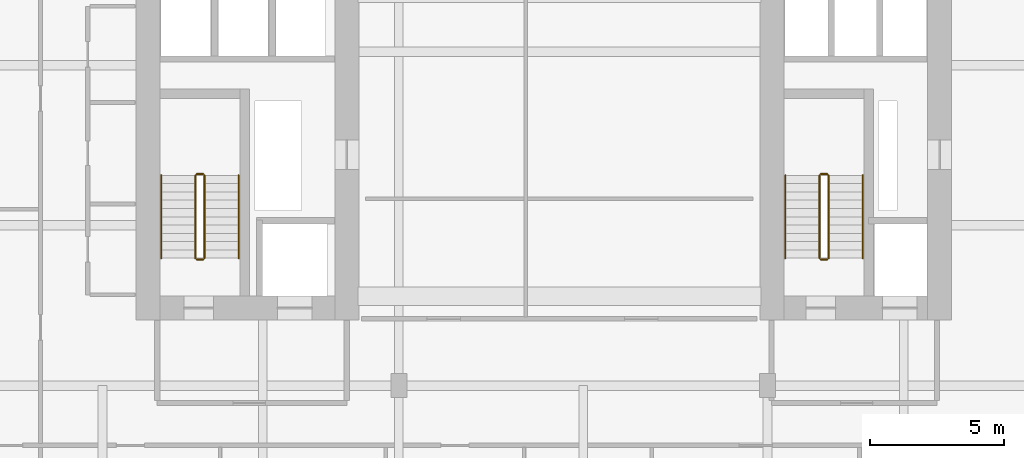
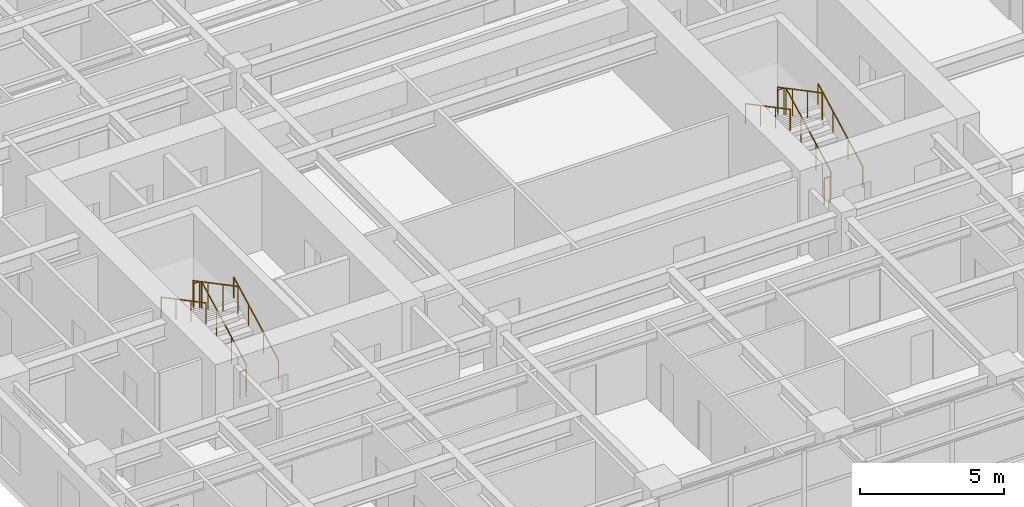
# One storey, part 24 of 24: 12 railings.
"""IFC4 building model written with IfcOpenShell, lengths in metres."""

from ifc_helpers import new_model, si_unit, direction, frame, origin, origin_2d, place, context, subcontext, project, spatial, circle, extrude, material, type_object, element, save


model = new_model("IFC4")

# Units and contexts
model_context = context("Model", 3, precision=1e-05, world=origin(), true_north=direction((0.0, 1.0)))
body_context = subcontext(model_context, "Body", "Model", "MODEL_VIEW")
ifc_project = project(units=[si_unit("LENGTHUNIT", "METRE"), si_unit("AREAUNIT", "SQUARE_METRE"), si_unit("VOLUMEUNIT", "CUBIC_METRE"), si_unit("PLANEANGLEUNIT", "RADIAN"), si_unit("MASSUNIT", "GRAM", prefix="KILO")], contexts=[model_context])

# Site, building, storey
site_placement = place(None, origin())
site = spatial("IfcSite", under=ifc_project, at=site_placement, CompositionType="ELEMENT")
building_placement = place(site_placement, origin())
building = spatial("IfcBuilding", under=site, at=building_placement, Name="Khoralis Quay Care Tower", CompositionType="ELEMENT")
storey_placement = place(building_placement, frame((0.0, 0.0, 54.89990234375)))
storey = spatial("IfcBuildingStorey", under=building, at=storey_placement, Name="L14", CompositionType="ELEMENT", Elevation=54.89990234375)

# Railings
ifc_material = material(Name="Brushed stainless steel", Category="steel")
railing_type_1 = type_object("IfcRailingType", Name="RL-GUARD-1150", PredefinedType="GUARDRAIL", material=ifc_material)
railing_1_placement = place(storey_placement, frame((9.820068359375, 16.77001953125, 0.163818359375)))
element("IfcRailing", 1, at=railing_1_placement, inside=storey, type_object=railing_type_1, Name="L14 ST-T1 stair guard 1", PredefinedType="GUARDRAIL", context=body_context, shape_type="SweptSolid", body=[
    extrude(circle(Radius=0.02392578125, at=origin_2d()), frame((0.0, 0.0, 1.1259765625), z_axis=(0.0, 0.884376766648, 0.46677375099), x_axis=(-1.0, 0.0, 0.0)), (0.0, 0.0, 1.0), 3.50537109375),
    extrude(circle(Radius=0.02099609375, at=origin_2d()), origin(), (0.0, 0.0, 1.0), 1.101806640625),
    extrude(circle(Radius=0.02099609375, at=origin_2d()), frame((0.0, 1.033447265625, 0.54541015625)), (0.0, 0.0, 1.0), 1.101806640625),
    extrude(circle(Radius=0.02099609375, at=origin_2d()), frame((0.0, 2.066650390625, 1.0908203125)), (0.0, 0.0, 1.0), 1.101806640625),
    extrude(circle(Radius=0.02099609375, at=origin_2d()), frame((0.0, 3.10009765625, 1.63623046875)), (0.0, 0.0, 1.0), 1.101806640625),
])
railing_2_placement = place(storey_placement, frame((9.77001953125, 19.919921875, 1.800048828125)))
element("IfcRailing", 2, at=railing_2_placement, inside=storey, type_object=railing_type_1, Name="L14 ST-T1 stair guard 2", PredefinedType="GUARDRAIL", context=body_context, shape_type="SweptSolid", body=[
    extrude(circle(Radius=0.02392578125, at=origin_2d()), frame((0.0, 0.0, 1.1259765625), z_axis=(-1.0, 0.0, 0.0), x_axis=(0.0, -1.0, 0.0)), (0.0, 0.0, 1.0), 0.239990234375),
    extrude(circle(Radius=0.02099609375, at=origin_2d()), origin(), (0.0, 0.0, 1.0), 1.101806640625),
    extrude(circle(Radius=0.02099609375, at=origin_2d()), frame((-0.239990234375, 0.0, 0.0)), (0.0, 0.0, 1.0), 1.101806640625),
])
railing_3_placement = place(storey_placement, frame((9.47998046875, 19.8701171875, 1.963623046875)))
element("IfcRailing", 3, at=railing_3_placement, inside=storey, type_object=railing_type_1, Name="L14 ST-T1 stair guard 3", PredefinedType="GUARDRAIL", context=body_context, shape_type="SweptSolid", body=[
    extrude(circle(Radius=0.02392578125, at=origin_2d()), frame((0.0, 0.0, 1.1259765625), z_axis=(0.0, -0.884348015382, 0.466828220752), x_axis=(1.0, 0.0, 0.0)), (0.0, 0.0, 1.0), 3.505615234375),
    extrude(circle(Radius=0.02099609375, at=origin_2d()), origin(), (0.0, 0.0, 1.0), 1.101806640625),
    extrude(circle(Radius=0.02099609375, at=origin_2d()), frame((0.0, -1.033447265625, 0.54541015625)), (0.0, 0.0, 1.0), 1.101806640625),
    extrude(circle(Radius=0.02099609375, at=origin_2d()), frame((0.0, -2.066650390625, 1.091064453125)), (0.0, 0.0, 1.0), 1.101806640625),
    extrude(circle(Radius=0.02099609375, at=origin_2d()), frame((0.0, -3.10009765625, 1.636474609375)), (0.0, 0.0, 1.0), 1.101806640625),
])
railing_4_placement = place(storey_placement, frame((9.77001953125, 16.719970703125, 0.0)))
element("IfcRailing", 4, at=railing_4_placement, inside=storey, type_object=railing_type_1, Name="L14 ST-T1 stair guard 4", PredefinedType="GUARDRAIL", context=body_context, shape_type="SweptSolid", body=[
    extrude(circle(Radius=0.02392578125, at=origin_2d()), frame((0.0, 0.0, 1.1259765625), z_axis=(-1.0, 0.0, 0.0), x_axis=(0.0, -1.0, 0.0)), (0.0, 0.0, 1.0), 0.239990234375),
    extrude(circle(Radius=0.02099609375, at=origin_2d()), origin(), (0.0, 0.0, 1.0), 1.101806640625),
    extrude(circle(Radius=0.02099609375, at=origin_2d()), frame((-0.239990234375, 0.0, 0.0)), (0.0, 0.0, 1.0), 1.101806640625),
])
railing_5_placement = place(storey_placement, frame((33.18994140625, 16.77001953125, 0.163818359375)))
element("IfcRailing", 5, at=railing_5_placement, inside=storey, type_object=railing_type_1, Name="L14 ST-T2 stair guard 1", PredefinedType="GUARDRAIL", context=body_context, shape_type="SweptSolid", body=[
    extrude(circle(Radius=0.02392578125, at=origin_2d()), frame((0.0, 0.0, 1.1259765625), z_axis=(0.0, 0.884376766648, 0.46677375099), x_axis=(-1.0, 0.0, 0.0)), (0.0, 0.0, 1.0), 3.50537109375),
    extrude(circle(Radius=0.02099609375, at=origin_2d()), origin(), (0.0, 0.0, 1.0), 1.101806640625),
    extrude(circle(Radius=0.02099609375, at=origin_2d()), frame((0.0, 1.033447265625, 0.54541015625)), (0.0, 0.0, 1.0), 1.101806640625),
    extrude(circle(Radius=0.02099609375, at=origin_2d()), frame((0.0, 2.066650390625, 1.0908203125)), (0.0, 0.0, 1.0), 1.101806640625),
    extrude(circle(Radius=0.02099609375, at=origin_2d()), frame((0.0, 3.10009765625, 1.63623046875)), (0.0, 0.0, 1.0), 1.101806640625),
])
railing_6_placement = place(storey_placement, frame((33.139892578125, 19.919921875, 1.800048828125)))
element("IfcRailing", 6, at=railing_6_placement, inside=storey, type_object=railing_type_1, Name="L14 ST-T2 stair guard 2", PredefinedType="GUARDRAIL", context=body_context, shape_type="SweptSolid", body=[
    extrude(circle(Radius=0.02392578125, at=origin_2d()), frame((0.0, 0.0, 1.1259765625), z_axis=(-1.0, 0.0, 0.0), x_axis=(0.0, -1.0, 0.0)), (0.0, 0.0, 1.0), 0.239990234375),
    extrude(circle(Radius=0.02099609375, at=origin_2d()), origin(), (0.0, 0.0, 1.0), 1.101806640625),
    extrude(circle(Radius=0.02099609375, at=origin_2d()), frame((-0.239990234375, 0.0, 0.0)), (0.0, 0.0, 1.0), 1.101806640625),
])
railing_7_placement = place(storey_placement, frame((32.85009765625, 19.8701171875, 1.963623046875)))
element("IfcRailing", 7, at=railing_7_placement, inside=storey, type_object=railing_type_1, Name="L14 ST-T2 stair guard 3", PredefinedType="GUARDRAIL", context=body_context, shape_type="SweptSolid", body=[
    extrude(circle(Radius=0.02392578125, at=origin_2d()), frame((0.0, 0.0, 1.1259765625), z_axis=(0.0, -0.884348015382, 0.466828220752), x_axis=(1.0, 0.0, 0.0)), (0.0, 0.0, 1.0), 3.505615234375),
    extrude(circle(Radius=0.02099609375, at=origin_2d()), origin(), (0.0, 0.0, 1.0), 1.101806640625),
    extrude(circle(Radius=0.02099609375, at=origin_2d()), frame((0.0, -1.033447265625, 0.54541015625)), (0.0, 0.0, 1.0), 1.101806640625),
    extrude(circle(Radius=0.02099609375, at=origin_2d()), frame((0.0, -2.066650390625, 1.091064453125)), (0.0, 0.0, 1.0), 1.101806640625),
    extrude(circle(Radius=0.02099609375, at=origin_2d()), frame((0.0, -3.10009765625, 1.636474609375)), (0.0, 0.0, 1.0), 1.101806640625),
])
railing_8_placement = place(storey_placement, frame((33.139892578125, 16.719970703125, 0.0)))
element("IfcRailing", 8, at=railing_8_placement, inside=storey, type_object=railing_type_1, Name="L14 ST-T2 stair guard 4", PredefinedType="GUARDRAIL", context=body_context, shape_type="SweptSolid", body=[
    extrude(circle(Radius=0.02392578125, at=origin_2d()), frame((0.0, 0.0, 1.1259765625), z_axis=(-1.0, 0.0, 0.0), x_axis=(0.0, -1.0, 0.0)), (0.0, 0.0, 1.0), 0.239990234375),
    extrude(circle(Radius=0.02099609375, at=origin_2d()), origin(), (0.0, 0.0, 1.0), 1.101806640625),
    extrude(circle(Radius=0.02099609375, at=origin_2d()), frame((-0.239990234375, 0.0, 0.0)), (0.0, 0.0, 1.0), 1.101806640625),
])
railing_type_2 = type_object("IfcRailingType", Name="RL-HAND-900", PredefinedType="HANDRAIL", material=ifc_material)
railing_9_placement = place(storey_placement, frame((11.10009765625, 16.77001953125, 0.163818359375)))
element("IfcRailing", 9, at=railing_9_placement, inside=storey, type_object=railing_type_2, Name="L14 ST-T1 stair handrail 1", PredefinedType="HANDRAIL", context=body_context, shape_type="SweptSolid", body=[
    extrude(circle(Radius=0.02392578125, at=origin_2d()), frame((0.0, 0.0, 0.8759765625), z_axis=(0.0, 0.884376766648, 0.46677375099), x_axis=(-1.0, 0.0, 0.0)), (0.0, 0.0, 1.0), 3.50537109375),
    extrude(circle(Radius=0.02099609375, at=origin_2d()), origin(), (0.0, 0.0, 1.0), 0.851806640625),
    extrude(circle(Radius=0.02099609375, at=origin_2d()), frame((0.0, 1.033447265625, 0.54541015625)), (0.0, 0.0, 1.0), 0.851806640625),
    extrude(circle(Radius=0.02099609375, at=origin_2d()), frame((0.0, 2.066650390625, 1.0908203125)), (0.0, 0.0, 1.0), 0.851806640625),
    extrude(circle(Radius=0.02099609375, at=origin_2d()), frame((0.0, 3.10009765625, 1.63623046875)), (0.0, 0.0, 1.0), 0.851806640625),
])
railing_10_placement = place(storey_placement, frame((8.199951171875, 19.8701171875, 1.963623046875)))
element("IfcRailing", 10, at=railing_10_placement, inside=storey, type_object=railing_type_2, Name="L14 ST-T1 stair handrail 2", PredefinedType="HANDRAIL", context=body_context, shape_type="SweptSolid", body=[
    extrude(circle(Radius=0.02392578125, at=origin_2d()), frame((0.0, 0.0, 0.8759765625), z_axis=(0.0, -0.884348015382, 0.466828220752), x_axis=(1.0, 0.0, 0.0)), (0.0, 0.0, 1.0), 3.505615234375),
    extrude(circle(Radius=0.02099609375, at=origin_2d()), origin(), (0.0, 0.0, 1.0), 0.851806640625),
    extrude(circle(Radius=0.02099609375, at=origin_2d()), frame((0.0, -1.033447265625, 0.54541015625)), (0.0, 0.0, 1.0), 0.851806640625),
    extrude(circle(Radius=0.02099609375, at=origin_2d()), frame((0.0, -2.066650390625, 1.091064453125)), (0.0, 0.0, 1.0), 0.851806640625),
    extrude(circle(Radius=0.02099609375, at=origin_2d()), frame((0.0, -3.10009765625, 1.636474609375)), (0.0, 0.0, 1.0), 0.851806640625),
])
railing_11_placement = place(storey_placement, frame((34.469970703125, 16.77001953125, 0.163818359375)))
element("IfcRailing", 11, at=railing_11_placement, inside=storey, type_object=railing_type_2, Name="L14 ST-T2 stair handrail 1", PredefinedType="HANDRAIL", context=body_context, shape_type="SweptSolid", body=[
    extrude(circle(Radius=0.02392578125, at=origin_2d()), frame((0.0, 0.0, 0.8759765625), z_axis=(0.0, 0.884376766648, 0.46677375099), x_axis=(-1.0, 0.0, 0.0)), (0.0, 0.0, 1.0), 3.50537109375),
    extrude(circle(Radius=0.02099609375, at=origin_2d()), origin(), (0.0, 0.0, 1.0), 0.851806640625),
    extrude(circle(Radius=0.02099609375, at=origin_2d()), frame((0.0, 1.033447265625, 0.54541015625)), (0.0, 0.0, 1.0), 0.851806640625),
    extrude(circle(Radius=0.02099609375, at=origin_2d()), frame((0.0, 2.066650390625, 1.0908203125)), (0.0, 0.0, 1.0), 0.851806640625),
    extrude(circle(Radius=0.02099609375, at=origin_2d()), frame((0.0, 3.10009765625, 1.63623046875)), (0.0, 0.0, 1.0), 0.851806640625),
])
railing_12_placement = place(storey_placement, frame((31.570068359375, 19.8701171875, 1.963623046875)))
element("IfcRailing", 12, at=railing_12_placement, inside=storey, type_object=railing_type_2, Name="L14 ST-T2 stair handrail 2", PredefinedType="HANDRAIL", context=body_context, shape_type="SweptSolid", body=[
    extrude(circle(Radius=0.02392578125, at=origin_2d()), frame((0.0, 0.0, 0.8759765625), z_axis=(0.0, -0.884348015382, 0.466828220752), x_axis=(1.0, 0.0, 0.0)), (0.0, 0.0, 1.0), 3.505615234375),
    extrude(circle(Radius=0.02099609375, at=origin_2d()), origin(), (0.0, 0.0, 1.0), 0.851806640625),
    extrude(circle(Radius=0.02099609375, at=origin_2d()), frame((0.0, -1.033447265625, 0.54541015625)), (0.0, 0.0, 1.0), 0.851806640625),
    extrude(circle(Radius=0.02099609375, at=origin_2d()), frame((0.0, -2.066650390625, 1.091064453125)), (0.0, 0.0, 1.0), 0.851806640625),
    extrude(circle(Radius=0.02099609375, at=origin_2d()), frame((0.0, -3.10009765625, 1.636474609375)), (0.0, 0.0, 1.0), 0.851806640625),
])

save(model, "model.ifc")
